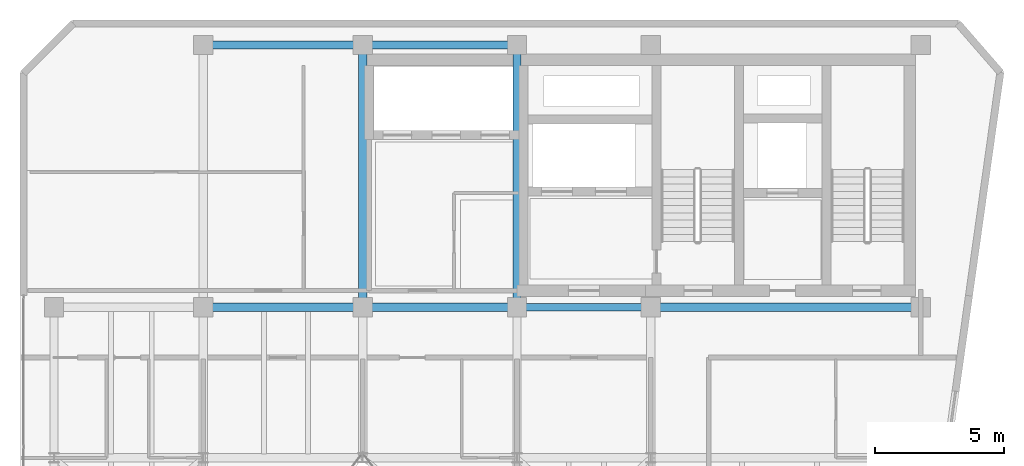
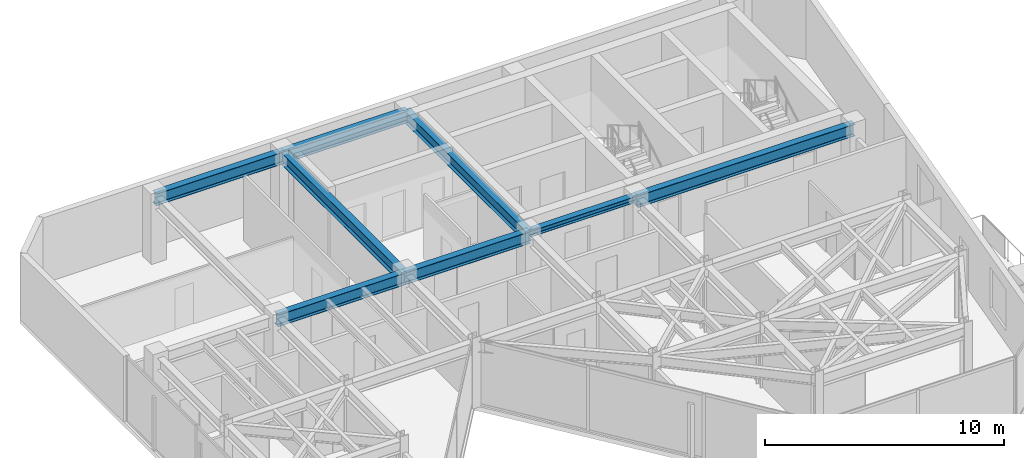
# One storey, part 11 of 17: 8 beams.
"""IFC4 building model written with IfcOpenShell, lengths in metres."""

import ifcopenshell
import ifcopenshell.guid

model = None  # the IFC model being written
_history = None  # IfcOwnerHistory: only IFC2X3 demands one
_inside = {}  # id of a spatial element -> (the spatial element, [elements in it])
_under = {}  # id of a project, library or spatial element -> (it, [spatial elements below it])
_declared = {}  # id of a project -> (the project, [libraries it declares])
_typed = {}  # id of a type object -> (the type object, [elements of that type])
_made_of = {}  # id of a material, layer set ... -> (it, [elements and type objects made of it])


def new_model(schema):
    """Start an empty IFC model of exactly this schema.

    Asked for "IFC4X3", IfcOpenShell would pick the latest addendum, in which some entities
    have other attributes; the version numbers below select the first issue.
    IFC2X3 requires an IfcOwnerHistory on every rooted entity: one is made here for all.
    """
    global model, _history
    if schema == "IFC4X3":
        model = ifcopenshell.file(schema_version=(4, 3, 0, 0))
    else:
        model = ifcopenshell.file(schema=schema)
    _inside.clear()
    _under.clear()
    _declared.clear()
    _typed.clear()
    _made_of.clear()
    _history = None
    if model.schema == "IFC2X3":
        org = make("IfcOrganization", Name="unknown")
        user = make(
            "IfcPersonAndOrganization",
            ThePerson=make("IfcPerson", FamilyName="unknown"),
            TheOrganization=org,
        )
        app = make(
            "IfcApplication",
            ApplicationDeveloper=org,
            Version="unknown",
            ApplicationFullName="unknown",
            ApplicationIdentifier="unknown",
        )
        _history = make(
            "IfcOwnerHistory",
            OwningUser=user,
            OwningApplication=app,
            ChangeAction="ADDED",
            CreationDate=0,
        )
    return model


def make(cls, **values):
    """One entity of the class cls with the attributes given. An attribute that is None is left unset."""
    return model.create_entity(
        cls, **{name: value for name, value in values.items() if value is not None}
    )


def rooted(cls, **values):
    """An entity with a GlobalId (a new one), such as an element, a storey or a relation."""
    return make(cls, GlobalId=ifcopenshell.guid.new(), OwnerHistory=_history, **values)


def si_unit(unit_type, name, prefix=None):
    """IfcSIUnit, for example si_unit("LENGTHUNIT", "METRE", prefix="MILLI")."""
    return make("IfcSIUnit", UnitType=unit_type, Prefix=prefix, Name=name)


def assignment(units):
    """IfcUnitAssignment: the units of a project."""
    return None if units is None else make("IfcUnitAssignment", Units=units)


def point(xyz):
    """IfcCartesianPoint."""
    return None if xyz is None else make("IfcCartesianPoint", Coordinates=xyz)


def direction(xyz):
    """IfcDirection."""
    return None if xyz is None else make("IfcDirection", DirectionRatios=xyz)


def frame(location, z_axis=None, x_axis=None):
    """IfcAxis2Placement3D, a coordinate frame: its origin and axes. An axis left out is left unset."""
    return make(
        "IfcAxis2Placement3D",
        Location=point(location),
        Axis=direction(z_axis),
        RefDirection=direction(x_axis),
    )


def frame_2d(location, x_axis=None):
    """IfcAxis2Placement2D, a coordinate frame in the plane: its origin and x axis."""
    return make(
        "IfcAxis2Placement2D", Location=point(location), RefDirection=direction(x_axis)
    )


def origin():
    """The frame at (0, 0, 0) with its axes left unset."""
    return frame((0.0, 0.0, 0.0))


def origin_2d():
    """The frame at (0, 0) in the plane with its x axis left unset."""
    return frame_2d((0.0, 0.0))


def place(relative_to, where):
    """IfcLocalPlacement: puts the frame where relative to a parent placement (None: the world)."""
    return make(
        "IfcLocalPlacement", PlacementRelTo=relative_to, RelativePlacement=where
    )


def context(
    kind, dimensions, precision=None, world=None, true_north=None, identifier=None
):
    """IfcGeometricRepresentationContext, for example the 3D "Model" context."""
    return make(
        "IfcGeometricRepresentationContext",
        ContextIdentifier=identifier,
        ContextType=kind,
        CoordinateSpaceDimension=dimensions,
        Precision=precision,
        WorldCoordinateSystem=world,
        TrueNorth=true_north,
    )


def subcontext(parent, identifier, kind, view, scale=None):
    """IfcGeometricRepresentationSubContext, for example "Body" below "Model"."""
    return make(
        "IfcGeometricRepresentationSubContext",
        ContextIdentifier=identifier,
        ContextType=kind,
        ParentContext=parent,
        TargetScale=scale,
        TargetView=view,
    )


def project(units=None, contexts=None):
    """IfcProject with its units and contexts."""
    return rooted(
        "IfcProject",
        Name="project",
        RepresentationContexts=contexts,
        UnitsInContext=assignment(units),
    )


def spatial(cls, under=None, at=None, **own):
    """A site, building, storey or space (cls), placed at a placement, below another one or the project."""
    s = rooted(cls, ObjectPlacement=at, **own)
    if under is not None:
        _under.setdefault(under.id(), (under, []))[1].append(s)
    return s


def profile(cls, at=None, kind="AREA", **sizes):
    """A parametric profile (cls). Its sizes go by their IFC names, for example OverallWidth=200.0."""
    return make(cls, ProfileType=kind, Position=at, **sizes)


def i_section(**sizes):
    """IfcIShapeProfileDef."""
    return profile("IfcIShapeProfileDef", **sizes)


def extrude(swept, where, along, depth):
    """IfcExtrudedAreaSolid: the profile swept, set in the frame where, extruded along a direction by depth."""
    return make(
        "IfcExtrudedAreaSolid",
        SweptArea=swept,
        Position=where,
        ExtrudedDirection=direction(along),
        Depth=depth,
    )


def shape(context_of_items, identifier, shape_type, items):
    """IfcShapeRepresentation: the items that make up one representation, for example the "Body"."""
    return make(
        "IfcShapeRepresentation",
        ContextOfItems=context_of_items,
        RepresentationIdentifier=identifier,
        RepresentationType=shape_type,
        Items=items,
    )


def material(Name=None, Category=None):
    """IfcMaterial."""
    return make("IfcMaterial", Name=Name, Category=Category)


def material_profile(
    of_material, cross_section, Name=None, Category=None, Priority=None
):
    """IfcMaterialProfile: a cross section and its material."""
    return make(
        "IfcMaterialProfile",
        Name=Name,
        Material=of_material,
        Profile=cross_section,
        Priority=Priority,
        Category=Category,
    )


def profile_set(profiles, Name=None, composite=None):
    """IfcMaterialProfileSet."""
    return make(
        "IfcMaterialProfileSet",
        Name=Name,
        MaterialProfiles=profiles,
        CompositeProfile=composite,
    )


def made_of(thing, what):
    """Note that an element or type object is made of a material, layer set ...; save() writes the relation."""
    if what is not None:
        _made_of.setdefault(what.id(), (what, []))[1].append(thing)
    return thing


def type_object(cls, material=None, **own):
    """A type object (cls), such as IfcWallType, which elements share."""
    return made_of(rooted(cls, **own), material)


def element(
    cls,
    number,
    at=None,
    inside=None,
    cuts=None,
    type_object=None,
    material=None,
    context=None,
    identifier="Body",
    shape_type=None,
    held_by="IfcProductDefinitionShape",
    body=None,
    shapes=None,
    **own,
):
    """One element of the class cls, such as IfcWall. Its Tag is "e" and its number.

    at: its placement. inside: the storey or other place that contains it. cuts: it is an
    opening in that element (IfcRelVoidsElement). A single representation is given by context,
    identifier, shape_type and body (its items); several are given by shapes. held_by: the class
    of the entity that holds the representations. save() writes the other relations.
    """
    e = rooted(cls, Tag="e%d" % number, ObjectPlacement=at, **own)
    if body is not None:
        shapes = [shape(context, identifier, shape_type, body)]
    if shapes is not None:
        e.Representation = make(held_by, Representations=shapes)
    if inside is not None:
        _inside.setdefault(inside.id(), (inside, []))[1].append(e)
    if cuts is not None:
        rooted(
            "IfcRelVoidsElement", RelatingBuildingElement=cuts, RelatedOpeningElement=e
        )
    if type_object is not None:
        _typed.setdefault(type_object.id(), (type_object, []))[1].append(e)
    return made_of(e, material)


def aggregate(whole, parts):
    """IfcRelAggregates: a whole, such as a stair, and the parts it consists of."""
    return rooted("IfcRelAggregates", RelatingObject=whole, RelatedObjects=parts)


def save(model, path):
    """Write the relations noted so far, then the file.

    IfcRelAggregates (storeys below a building ...), IfcRelContainedInSpatialStructure (elements
    in a storey), IfcRelDefinesByType, IfcRelAssociatesMaterial and IfcRelDeclares: one each for
    every whole, place, type object, material and project.
    """
    for whole, parts in _under.values():
        aggregate(whole, parts)
    for where, things in _inside.values():
        rooted(
            "IfcRelContainedInSpatialStructure",
            RelatedElements=things,
            RelatingStructure=where,
        )
    for kind, things in _typed.values():
        rooted("IfcRelDefinesByType", RelatedObjects=things, RelatingType=kind)
    for what, things in _made_of.values():
        rooted("IfcRelAssociatesMaterial", RelatedObjects=things, RelatingMaterial=what)
    for by, libraries in _declared.values():
        rooted("IfcRelDeclares", RelatingContext=by, RelatedDefinitions=libraries)
    model.write(path)


model = new_model("IFC4")

# Units and contexts
model_context = context("Model", 3, precision=1e-05, world=origin(), true_north=direction((0.0, 1.0)))
body_context = subcontext(model_context, "Body", "Model", "MODEL_VIEW")
ifc_project = project(units=[si_unit("LENGTHUNIT", "METRE"), si_unit("AREAUNIT", "SQUARE_METRE"), si_unit("VOLUMEUNIT", "CUBIC_METRE"), si_unit("PLANEANGLEUNIT", "RADIAN"), si_unit("MASSUNIT", "GRAM", prefix="KILO")], contexts=[model_context])

# Site, building, storey
site_placement = place(None, origin())
site = spatial("IfcSite", under=ifc_project, at=site_placement, CompositionType="ELEMENT")
building_placement = place(site_placement, origin())
building = spatial("IfcBuilding", under=site, at=building_placement, Name="Kravanh Interchange Tower", CompositionType="ELEMENT")
storey_placement = place(building_placement, frame((0.0, 0.0, 293.10009765625)))
storey = spatial("IfcBuildingStorey", under=building, at=storey_placement, Name="L72", CompositionType="ELEMENT", Elevation=293.10009765625)

# Beams
ifc_material_1 = material(Name="Structural Steel S355", Category="steel")
ifc_material_profile_1 = material_profile(ifc_material_1, i_section(OverallWidth=0.323974609375, OverallDepth=0.611083984375, WebThickness=0.0126953125, FlangeThickness=0.01904296875, FilletRadius=0.02197265625, at=origin_2d()), Name="W24X104")
ifc_profile_set_1 = profile_set([ifc_material_profile_1], Name="Structural Steel S355")
beam_type_1 = type_object("IfcBeamType", Name="Floor Beam W24X104 Structural Steel S355", PredefinedType="BEAM", material=ifc_profile_set_1)
beam_1_placement = place(storey_placement, frame((66.5, 37.35009765625, 3.04443359375), z_axis=(-1.0, 0.0, 0.0), x_axis=(0.0, -1.0, 0.0)))
element("IfcBeam", 1, at=beam_1_placement, inside=storey, type_object=beam_type_1, Name="L72 Primary Floor Girder 38", PredefinedType="BEAM", context=body_context, shape_type="SweptSolid", body=[
    extrude(i_section(OverallWidth=0.323974609375, OverallDepth=0.611083984375, WebThickness=0.0126953125, FlangeThickness=0.01904296875, FilletRadius=0.02197265625, at=origin_2d()), origin(), (0.0, 0.0, 1.0), 10.5),
])
beam_2_placement = place(storey_placement, frame((50.800048828125, 47.550048828125, 3.04443359375), z_axis=(-1.0, 0.0, 0.0), x_axis=(0.0, -1.0, 0.0)))
element("IfcBeam", 2, at=beam_2_placement, inside=storey, type_object=beam_type_1, Name="L72 Primary Floor Girder 40", PredefinedType="BEAM", context=body_context, shape_type="SweptSolid", body=[
    extrude(i_section(OverallWidth=0.323974609375, OverallDepth=0.611083984375, WebThickness=0.0126953125, FlangeThickness=0.01904296875, FilletRadius=0.02197265625, at=origin_2d()), origin(), (0.0, 0.0, 1.0), 6.0),
])
beam_3_placement = place(storey_placement, frame((50.800048828125, 47.550048828125, 3.04443359375), z_axis=(0.0, -1.0, 0.0), x_axis=(1.0, 0.0, 0.0)))
element("IfcBeam", 3, at=beam_3_placement, inside=storey, type_object=beam_type_1, Name="L72 Primary Floor Girder 41", PredefinedType="BEAM", context=body_context, shape_type="SweptSolid", body=[
    extrude(i_section(OverallWidth=0.323974609375, OverallDepth=0.611083984375, WebThickness=0.0126953125, FlangeThickness=0.01904296875, FilletRadius=0.02197265625, at=origin_2d()), origin(), (0.0, 0.0, 1.0), 10.199951171875),
])
beam_4_placement = place(storey_placement, frame((50.800048828125, 37.35009765625, 3.04443359375), z_axis=(-1.0, 0.0, 0.0), x_axis=(0.0, -1.0, 0.0)))
element("IfcBeam", 4, at=beam_4_placement, inside=storey, type_object=beam_type_1, Name="L72 Primary Floor Girder 42", PredefinedType="BEAM", context=body_context, shape_type="SweptSolid", body=[
    extrude(i_section(OverallWidth=0.323974609375, OverallDepth=0.611083984375, WebThickness=0.0126953125, FlangeThickness=0.01904296875, FilletRadius=0.02197265625, at=origin_2d()), origin(), (0.0, 0.0, 1.0), 6.0),
])
beam_5_placement = place(storey_placement, frame((44.800048828125, 37.35009765625, 3.04443359375), z_axis=(-1.0, 0.0, 0.0), x_axis=(0.0, -1.0, 0.0)))
element("IfcBeam", 5, at=beam_5_placement, inside=storey, type_object=beam_type_1, Name="L72 Primary Floor Girder 43", PredefinedType="BEAM", context=body_context, shape_type="SweptSolid", body=[
    extrude(i_section(OverallWidth=0.323974609375, OverallDepth=0.611083984375, WebThickness=0.0126953125, FlangeThickness=0.01904296875, FilletRadius=0.02197265625, at=origin_2d()), origin(), (0.0, 0.0, 1.0), 6.199951171875),
])
beam_6_placement = place(storey_placement, frame((44.800048828125, 37.35009765625, 3.04443359375), z_axis=(0.0, 1.0, 0.0), x_axis=(-1.0, 0.0, 0.0)))
element("IfcBeam", 6, at=beam_6_placement, inside=storey, type_object=beam_type_1, Name="L72 Primary Floor Girder 44", PredefinedType="BEAM", context=body_context, shape_type="SweptSolid", body=[
    extrude(i_section(OverallWidth=0.323974609375, OverallDepth=0.611083984375, WebThickness=0.0126953125, FlangeThickness=0.01904296875, FilletRadius=0.02197265625, at=origin_2d()), origin(), (0.0, 0.0, 1.0), 10.199951171875),
])
beam_7_placement = place(storey_placement, frame((44.800048828125, 47.550048828125, 3.04443359375), z_axis=(-1.0, 0.0, 0.0), x_axis=(0.0, -1.0, 0.0)))
element("IfcBeam", 7, at=beam_7_placement, inside=storey, type_object=beam_type_1, Name="L72 Primary Floor Girder 45", PredefinedType="BEAM", context=body_context, shape_type="SweptSolid", body=[
    extrude(i_section(OverallWidth=0.323974609375, OverallDepth=0.611083984375, WebThickness=0.0126953125, FlangeThickness=0.01904296875, FilletRadius=0.02197265625, at=origin_2d()), origin(), (0.0, 0.0, 1.0), 6.199951171875),
])
ifc_material_2 = material(Name="Structural Steel S355", Category="steel")
ifc_material_profile_2 = material_profile(ifc_material_2, i_section(OverallWidth=0.304931640625, OverallDepth=0.306884765625, WebThickness=0.010009765625, FlangeThickness=0.015380859375, FilletRadius=0.014892578125, at=origin_2d()), Name="W12X65")
ifc_profile_set_2 = profile_set([ifc_material_profile_2], Name="Structural Steel S355")
beam_type_2 = type_object("IfcBeamType", Name="Floor Lintel W12X65 Structural Steel S355", PredefinedType="LINTEL", material=ifc_profile_set_2)
beam_8_placement = place(storey_placement, frame((50.800048828125, 37.35009765625, 3.1962890625), z_axis=(1.0, 0.0, 0.0), x_axis=(0.0, 1.0, 0.0)))
element("IfcBeam", 8, at=beam_8_placement, inside=storey, type_object=beam_type_2, Name="L72 Core Coupling Lintel 1", PredefinedType="LINTEL", context=body_context, shape_type="SweptSolid", body=[
    extrude(i_section(OverallWidth=0.304931640625, OverallDepth=0.306884765625, WebThickness=0.010009765625, FlangeThickness=0.015380859375, FilletRadius=0.014892578125, at=origin_2d()), origin(), (0.0, 0.0, 1.0), 5.199951171875),
])

save(model, "model.ifc")
